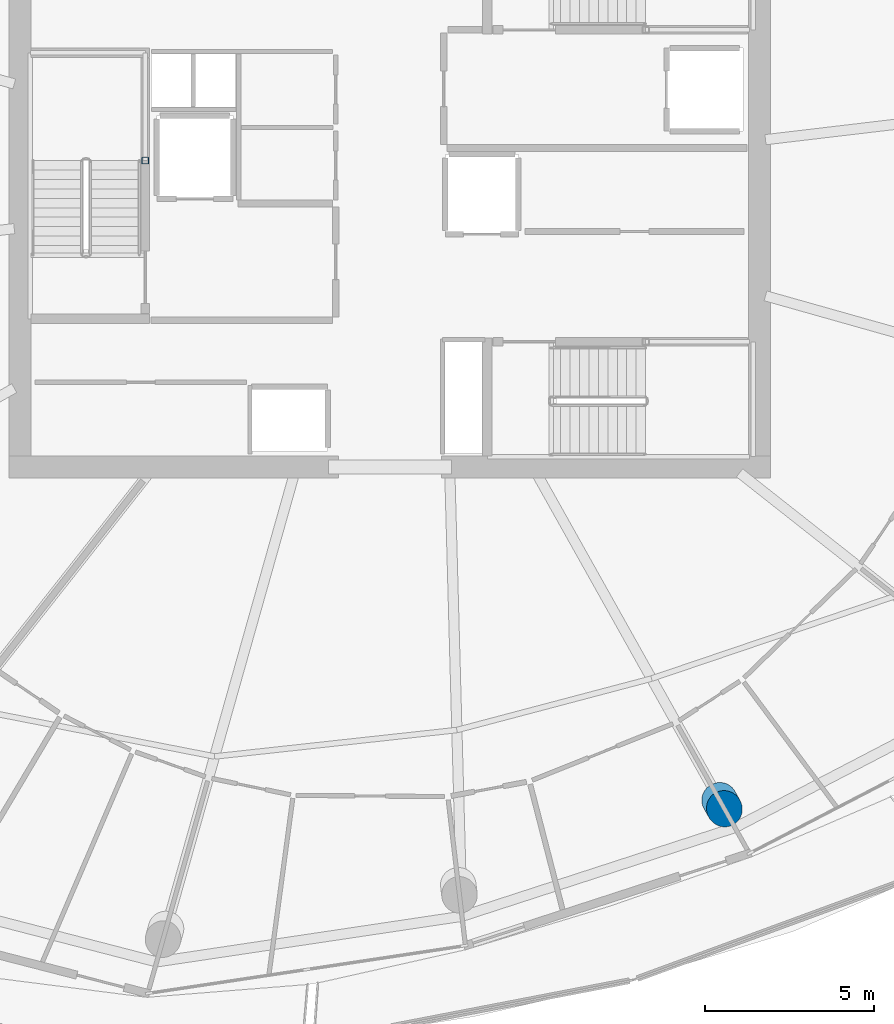
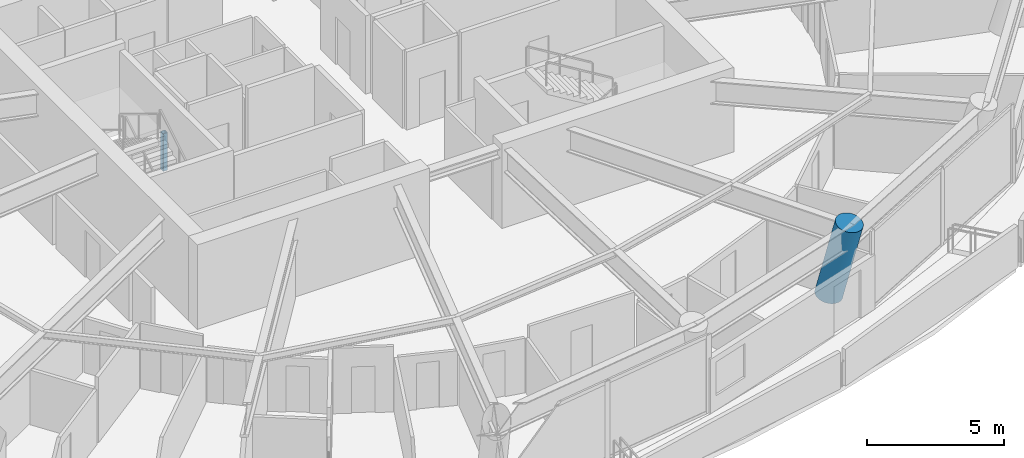
# One storey, part 2 of 20: 2 columns.
"""IFC4 building model written with IfcOpenShell, lengths in metres."""

import ifcopenshell
import ifcopenshell.guid

model = None  # the IFC model being written
_history = None  # IfcOwnerHistory: only IFC2X3 demands one
_inside = {}  # id of a spatial element -> (the spatial element, [elements in it])
_under = {}  # id of a project, library or spatial element -> (it, [spatial elements below it])
_declared = {}  # id of a project -> (the project, [libraries it declares])
_typed = {}  # id of a type object -> (the type object, [elements of that type])
_made_of = {}  # id of a material, layer set ... -> (it, [elements and type objects made of it])


def new_model(schema):
    """Start an empty IFC model of exactly this schema.

    Asked for "IFC4X3", IfcOpenShell would pick the latest addendum, in which some entities
    have other attributes; the version numbers below select the first issue.
    IFC2X3 requires an IfcOwnerHistory on every rooted entity: one is made here for all.
    """
    global model, _history
    if schema == "IFC4X3":
        model = ifcopenshell.file(schema_version=(4, 3, 0, 0))
    else:
        model = ifcopenshell.file(schema=schema)
    _inside.clear()
    _under.clear()
    _declared.clear()
    _typed.clear()
    _made_of.clear()
    _history = None
    if model.schema == "IFC2X3":
        org = make("IfcOrganization", Name="unknown")
        user = make(
            "IfcPersonAndOrganization",
            ThePerson=make("IfcPerson", FamilyName="unknown"),
            TheOrganization=org,
        )
        app = make(
            "IfcApplication",
            ApplicationDeveloper=org,
            Version="unknown",
            ApplicationFullName="unknown",
            ApplicationIdentifier="unknown",
        )
        _history = make(
            "IfcOwnerHistory",
            OwningUser=user,
            OwningApplication=app,
            ChangeAction="ADDED",
            CreationDate=0,
        )
    return model


def make(cls, **values):
    """One entity of the class cls with the attributes given. An attribute that is None is left unset."""
    return model.create_entity(
        cls, **{name: value for name, value in values.items() if value is not None}
    )


def rooted(cls, **values):
    """An entity with a GlobalId (a new one), such as an element, a storey or a relation."""
    return make(cls, GlobalId=ifcopenshell.guid.new(), OwnerHistory=_history, **values)


def si_unit(unit_type, name, prefix=None):
    """IfcSIUnit, for example si_unit("LENGTHUNIT", "METRE", prefix="MILLI")."""
    return make("IfcSIUnit", UnitType=unit_type, Prefix=prefix, Name=name)


def assignment(units):
    """IfcUnitAssignment: the units of a project."""
    return None if units is None else make("IfcUnitAssignment", Units=units)


def point(xyz):
    """IfcCartesianPoint."""
    return None if xyz is None else make("IfcCartesianPoint", Coordinates=xyz)


def direction(xyz):
    """IfcDirection."""
    return None if xyz is None else make("IfcDirection", DirectionRatios=xyz)


def frame(location, z_axis=None, x_axis=None):
    """IfcAxis2Placement3D, a coordinate frame: its origin and axes. An axis left out is left unset."""
    return make(
        "IfcAxis2Placement3D",
        Location=point(location),
        Axis=direction(z_axis),
        RefDirection=direction(x_axis),
    )


def frame_2d(location, x_axis=None):
    """IfcAxis2Placement2D, a coordinate frame in the plane: its origin and x axis."""
    return make(
        "IfcAxis2Placement2D", Location=point(location), RefDirection=direction(x_axis)
    )


def origin():
    """The frame at (0, 0, 0) with its axes left unset."""
    return frame((0.0, 0.0, 0.0))


def origin_2d():
    """The frame at (0, 0) in the plane with its x axis left unset."""
    return frame_2d((0.0, 0.0))


def place(relative_to, where):
    """IfcLocalPlacement: puts the frame where relative to a parent placement (None: the world)."""
    return make(
        "IfcLocalPlacement", PlacementRelTo=relative_to, RelativePlacement=where
    )


def context(
    kind, dimensions, precision=None, world=None, true_north=None, identifier=None
):
    """IfcGeometricRepresentationContext, for example the 3D "Model" context."""
    return make(
        "IfcGeometricRepresentationContext",
        ContextIdentifier=identifier,
        ContextType=kind,
        CoordinateSpaceDimension=dimensions,
        Precision=precision,
        WorldCoordinateSystem=world,
        TrueNorth=true_north,
    )


def subcontext(parent, identifier, kind, view, scale=None):
    """IfcGeometricRepresentationSubContext, for example "Body" below "Model"."""
    return make(
        "IfcGeometricRepresentationSubContext",
        ContextIdentifier=identifier,
        ContextType=kind,
        ParentContext=parent,
        TargetScale=scale,
        TargetView=view,
    )


def project(units=None, contexts=None):
    """IfcProject with its units and contexts."""
    return rooted(
        "IfcProject",
        Name="project",
        RepresentationContexts=contexts,
        UnitsInContext=assignment(units),
    )


def spatial(cls, under=None, at=None, **own):
    """A site, building, storey or space (cls), placed at a placement, below another one or the project."""
    s = rooted(cls, ObjectPlacement=at, **own)
    if under is not None:
        _under.setdefault(under.id(), (under, []))[1].append(s)
    return s


def profile(cls, at=None, kind="AREA", **sizes):
    """A parametric profile (cls). Its sizes go by their IFC names, for example OverallWidth=200.0."""
    return make(cls, ProfileType=kind, Position=at, **sizes)


def hollow_rectangle(**sizes):
    """IfcRectangleHollowProfileDef."""
    return profile("IfcRectangleHollowProfileDef", **sizes)


def circle(**sizes):
    """IfcCircleProfileDef."""
    return profile("IfcCircleProfileDef", **sizes)


def extrude(swept, where, along, depth):
    """IfcExtrudedAreaSolid: the profile swept, set in the frame where, extruded along a direction by depth."""
    return make(
        "IfcExtrudedAreaSolid",
        SweptArea=swept,
        Position=where,
        ExtrudedDirection=direction(along),
        Depth=depth,
    )


def shape(context_of_items, identifier, shape_type, items):
    """IfcShapeRepresentation: the items that make up one representation, for example the "Body"."""
    return make(
        "IfcShapeRepresentation",
        ContextOfItems=context_of_items,
        RepresentationIdentifier=identifier,
        RepresentationType=shape_type,
        Items=items,
    )


def material(Name=None, Category=None):
    """IfcMaterial."""
    return make("IfcMaterial", Name=Name, Category=Category)


def material_profile(
    of_material, cross_section, Name=None, Category=None, Priority=None
):
    """IfcMaterialProfile: a cross section and its material."""
    return make(
        "IfcMaterialProfile",
        Name=Name,
        Material=of_material,
        Profile=cross_section,
        Priority=Priority,
        Category=Category,
    )


def profile_set(profiles, Name=None, composite=None):
    """IfcMaterialProfileSet."""
    return make(
        "IfcMaterialProfileSet",
        Name=Name,
        MaterialProfiles=profiles,
        CompositeProfile=composite,
    )


def made_of(thing, what):
    """Note that an element or type object is made of a material, layer set ...; save() writes the relation."""
    if what is not None:
        _made_of.setdefault(what.id(), (what, []))[1].append(thing)
    return thing


def type_object(cls, material=None, **own):
    """A type object (cls), such as IfcWallType, which elements share."""
    return made_of(rooted(cls, **own), material)


def element(
    cls,
    number,
    at=None,
    inside=None,
    cuts=None,
    type_object=None,
    material=None,
    context=None,
    identifier="Body",
    shape_type=None,
    held_by="IfcProductDefinitionShape",
    body=None,
    shapes=None,
    **own,
):
    """One element of the class cls, such as IfcWall. Its Tag is "e" and its number.

    at: its placement. inside: the storey or other place that contains it. cuts: it is an
    opening in that element (IfcRelVoidsElement). A single representation is given by context,
    identifier, shape_type and body (its items); several are given by shapes. held_by: the class
    of the entity that holds the representations. save() writes the other relations.
    """
    e = rooted(cls, Tag="e%d" % number, ObjectPlacement=at, **own)
    if body is not None:
        shapes = [shape(context, identifier, shape_type, body)]
    if shapes is not None:
        e.Representation = make(held_by, Representations=shapes)
    if inside is not None:
        _inside.setdefault(inside.id(), (inside, []))[1].append(e)
    if cuts is not None:
        rooted(
            "IfcRelVoidsElement", RelatingBuildingElement=cuts, RelatedOpeningElement=e
        )
    if type_object is not None:
        _typed.setdefault(type_object.id(), (type_object, []))[1].append(e)
    return made_of(e, material)


def aggregate(whole, parts):
    """IfcRelAggregates: a whole, such as a stair, and the parts it consists of."""
    return rooted("IfcRelAggregates", RelatingObject=whole, RelatedObjects=parts)


def save(model, path):
    """Write the relations noted so far, then the file.

    IfcRelAggregates (storeys below a building ...), IfcRelContainedInSpatialStructure (elements
    in a storey), IfcRelDefinesByType, IfcRelAssociatesMaterial and IfcRelDeclares: one each for
    every whole, place, type object, material and project.
    """
    for whole, parts in _under.values():
        aggregate(whole, parts)
    for where, things in _inside.values():
        rooted(
            "IfcRelContainedInSpatialStructure",
            RelatedElements=things,
            RelatingStructure=where,
        )
    for kind, things in _typed.values():
        rooted("IfcRelDefinesByType", RelatedObjects=things, RelatingType=kind)
    for what, things in _made_of.values():
        rooted("IfcRelAssociatesMaterial", RelatedObjects=things, RelatingMaterial=what)
    for by, libraries in _declared.values():
        rooted("IfcRelDeclares", RelatingContext=by, RelatedDefinitions=libraries)
    model.write(path)


model = new_model("IFC4")

# Units and contexts
model_context = context("Model", 3, precision=1e-05, world=origin(), true_north=direction((0.0, 1.0)))
body_context = subcontext(model_context, "Body", "Model", "MODEL_VIEW")
ifc_project = project(units=[si_unit("LENGTHUNIT", "METRE"), si_unit("AREAUNIT", "SQUARE_METRE"), si_unit("VOLUMEUNIT", "CUBIC_METRE"), si_unit("PLANEANGLEUNIT", "RADIAN"), si_unit("MASSUNIT", "GRAM", prefix="KILO")], contexts=[model_context])

# Site, building, storey
site_placement = place(None, origin())
site = spatial("IfcSite", under=ifc_project, at=site_placement, CompositionType="ELEMENT")
building_placement = place(site_placement, origin())
building = spatial("IfcBuilding", under=site, at=building_placement, Name="Kazma Halo Residences", CompositionType="ELEMENT")
storey_placement = place(building_placement, frame((0.0, 0.0, 221.550048828125)))
storey = spatial("IfcBuildingStorey", under=building, at=storey_placement, Name="L56", CompositionType="ELEMENT", Elevation=221.550048828125)

# Columns
ifc_material_1 = material(Name="Steel S355", Category="steel")
ifc_material_profile_1 = material_profile(ifc_material_1, hollow_rectangle(XDim=0.199951171875, YDim=0.199951171875, WallThickness=0.010009765625, InnerFilletRadius=0.010009765625, OuterFilletRadius=0.02001953125, at=origin_2d()), Name="SHS200x200x10")
ifc_profile_set_1 = profile_set([ifc_material_profile_1], Name="Steel S355")
column_type_1 = type_object("IfcColumnType", Name="COL-LP-SHS200", PredefinedType="COLUMN", material=ifc_profile_set_1)
column_1_placement = place(storey_placement, frame((41.179931640625, 42.75, 0.0), z_axis=(0.0, 0.0, 1.0), x_axis=(1.0, 0.0, 0.0)))
element("IfcColumn", 1, at=column_1_placement, inside=storey, type_object=column_type_1, Name="L56 ST-01 landing pilaster 1", PredefinedType="COLUMN", context=body_context, shape_type="SweptSolid", body=[
    extrude(hollow_rectangle(XDim=0.199951171875, YDim=0.199951171875, WallThickness=0.010009765625, InnerFilletRadius=0.010009765625, OuterFilletRadius=0.02001953125, at=origin_2d()), origin(), (0.0, 0.0, 1.0), 1.669921875),
])
ifc_material_2 = material(Name="Concrete C80/95", Category="concrete")
ifc_material_profile_2 = material_profile(ifc_material_2, circle(Radius=0.52490234375, at=origin_2d()), Name="CIRC1050")
ifc_profile_set_2 = profile_set([ifc_material_profile_2], Name="Concrete C80/95")
column_type_2 = type_object("IfcColumnType", Name="COL-PERIM-1050", PredefinedType="COLUMN", material=ifc_profile_set_2)
column_2_placement = place(storey_placement, frame((58.184814453125, 23.813720703125, 0.0), z_axis=(0.119073423667, -0.212626239625, 0.969851329843), x_axis=(0.872501241127, 0.488611895304, 0.0)))
element("IfcColumn", 2, at=column_2_placement, inside=storey, type_object=column_type_2, Name="L56 perimeter ring column P13", PredefinedType="COLUMN", context=body_context, shape_type="SweptSolid", body=[
    extrude(circle(Radius=0.52490234375, at=origin_2d()), origin(), (0.0, 0.0, 1.0), 3.577880859375),
])

save(model, "model.ifc")
